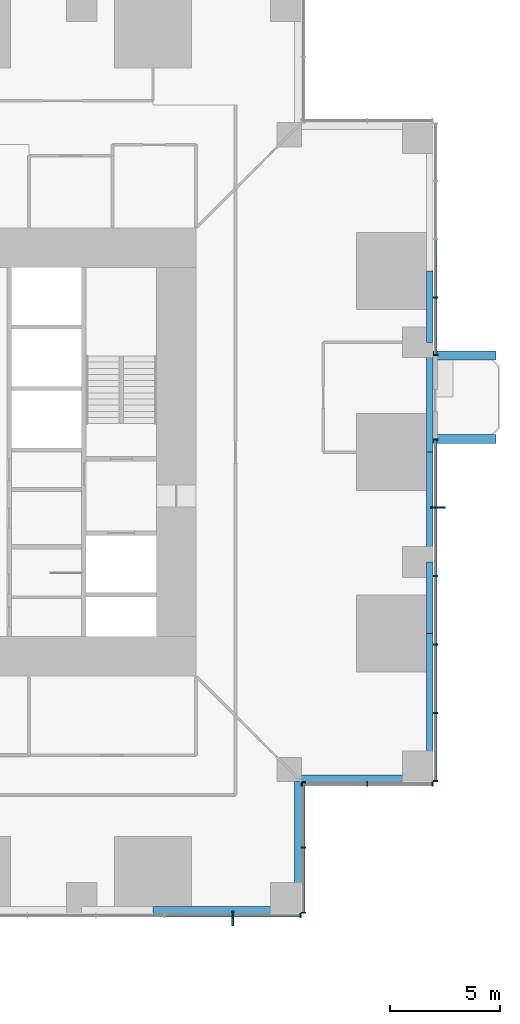
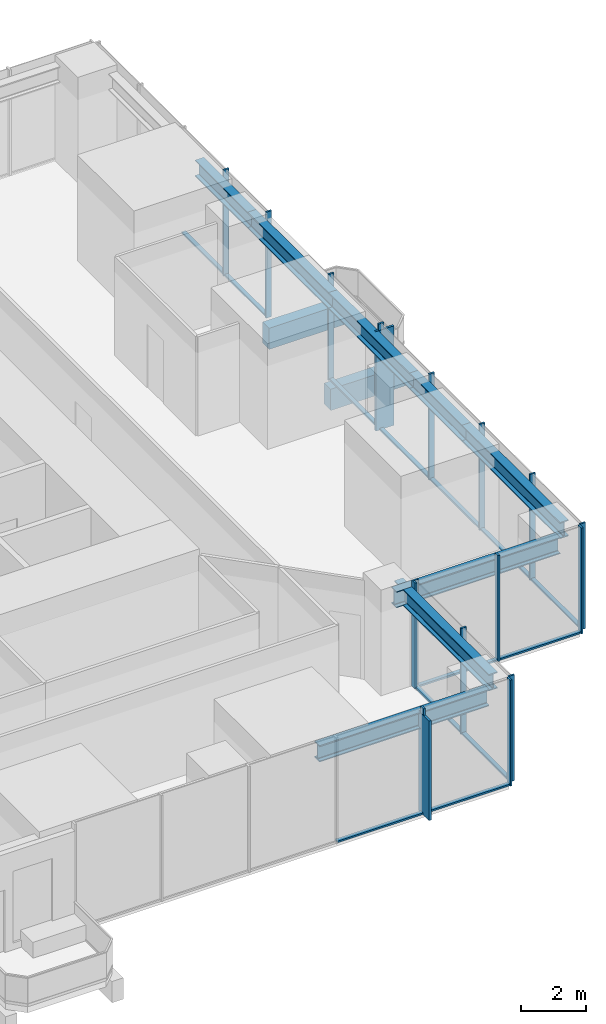
# One storey, part 4 of 17: 31 members, 10 beams, 5 elements without a shape of their own.
"""IFC4 building model written with IfcOpenShell, lengths in metres."""

from ifc_helpers import new_model, si_unit, direction, frame, origin, origin_2d, place, context, subcontext, project, spatial, rectangle, i_section, extrude, material, material_profile, profile_set, type_object, element, aggregate, save


model = new_model("IFC4")

# Units and contexts
model_context = context("Model", 3, precision=1e-05, world=origin(), true_north=direction((0.0, 1.0)))
body_context = subcontext(model_context, "Body", "Model", "MODEL_VIEW")
ifc_project = project(units=[si_unit("LENGTHUNIT", "METRE"), si_unit("AREAUNIT", "SQUARE_METRE"), si_unit("VOLUMEUNIT", "CUBIC_METRE"), si_unit("PLANEANGLEUNIT", "RADIAN"), si_unit("MASSUNIT", "GRAM", prefix="KILO")], contexts=[model_context])

# Site, building, storey
site_placement = place(None, origin())
site = spatial("IfcSite", under=ifc_project, at=site_placement, CompositionType="ELEMENT")
building_placement = place(site_placement, origin())
building = spatial("IfcBuilding", under=site, at=building_placement, Name="Svetlomir Tower", CompositionType="ELEMENT")
storey_placement = place(building_placement, frame((0.0, 0.0, 38.5)))
storey = spatial("IfcBuildingStorey", under=building, at=storey_placement, Name="L08", CompositionType="ELEMENT", Elevation=38.5)

# Beams
ifc_material_1 = material(Name="Concrete C60/75", Category="concrete")
ifc_material_profile_1 = material_profile(ifc_material_1, rectangle(XDim=0.39990234375, YDim=0.800048828125, at=origin_2d()), Name="RC 400x800")
ifc_profile_set_1 = profile_set([ifc_material_profile_1], Name="Concrete C60/75")
beam_type_1 = type_object("IfcBeamType", Name="BALCONY RIB RC 400x800", PredefinedType="BEAM", material=ifc_profile_set_1)
for number, where, z_axis, x_axis, name in (
    (1, (42.0, 21.60009765625, -0.64990234375), (1.0, 0.0, 0.0), (0.0, 1.0, 0.0), "Balcony rib E 1 L08"),
    (2, (42.0, 25.39990234375, -0.64990234375), (1.0, 0.0, 0.0), (0.0, 1.0, 0.0), "Balcony rib E 2 L08"),
):
    element("IfcBeam", number, at=place(storey_placement, frame(where, z_axis=z_axis, x_axis=x_axis)), inside=storey, type_object=beam_type_1, Name=name, PredefinedType="BEAM", context=body_context, shape_type="SweptSolid", body=[
        extrude(rectangle(XDim=0.39990234375, YDim=0.800048828125, at=origin_2d()), origin(), (0.0, 0.0, 1.0), 2.85009765625),
    ])

# Curtain wall, member
ifc_material_2 = material(Name="Bronze anodised aluminium curtain wall", Category="aluminium")
curtain_wall_type = type_object("IfcCurtainWallType", Name="CURTAIN WALL CW1 TOWER OFFICE", PredefinedType="NOTDEFINED", material=ifc_material_2)
curtain_wall_1_placement = place(storey_placement, origin())
curtain_wall_1 = element("IfcCurtainWall", 3, at=curtain_wall_1_placement, inside=storey, type_object=curtain_wall_type, Name="Curtain wall CW1 L08", PredefinedType="NOTDEFINED")
ifc_material_3 = material(Name="Bronze anodised aluminium", Category="aluminium")
ifc_material_profile_2 = material_profile(ifc_material_3, rectangle(XDim=0.080078125, YDim=0.64990234375, at=origin_2d()), Name="FIN 80x650")
ifc_profile_set_2 = profile_set([ifc_material_profile_2], Name="Bronze anodised aluminium 6063-T6")
member_type_1 = type_object("IfcMemberType", Name="BRONZE FIN 80x650", PredefinedType="USERDEFINED", material=ifc_profile_set_2)
member_1_placement = place(storey_placement, frame((32.8798828125, -0.22509765625, 0.0), z_axis=(0.0, 0.0, 1.0), x_axis=(1.0, 0.0, 0.0)))
member_1 = element("IfcMember", 4, at=member_1_placement, type_object=member_type_1, Name="Bronze fin L08", ObjectType="FIN", PredefinedType="USERDEFINED", context=body_context, shape_type="SweptSolid", body=[
    extrude(rectangle(XDim=0.080078125, YDim=0.64990234375, at=origin_2d()), origin(), (0.0, 0.0, 1.0), 3.75),
])

curtain_wall_2_placement = place(storey_placement, origin())
curtain_wall_2 = element("IfcCurtainWall", 5, at=curtain_wall_2_placement, inside=storey, type_object=curtain_wall_type, Name="Curtain wall CW1 L08", PredefinedType="NOTDEFINED")
member_2_placement = place(storey_placement, frame((42.22509765625, 18.47998046875, 0.0), z_axis=(0.0, 0.0, 1.0), x_axis=(0.0, 1.0, 0.0)))
member_2 = element("IfcMember", 6, at=member_2_placement, type_object=member_type_1, Name="Bronze fin L08", ObjectType="FIN", PredefinedType="USERDEFINED", context=body_context, shape_type="SweptSolid", body=[
    extrude(rectangle(XDim=0.080078125, YDim=0.64990234375, at=origin_2d()), origin(), (0.0, 0.0, 1.0), 3.75),
])

# Member
ifc_material_4 = material(Name="Bronze anodised aluminium", Category="aluminium")
ifc_material_profile_3 = material_profile(ifc_material_4, rectangle(XDim=0.06494140625, YDim=0.199951171875, at=origin_2d()), Name="AL 65x200")
ifc_profile_set_3 = profile_set([ifc_material_profile_3], Name="Bronze anodised aluminium 6063-T6")
member_type_2 = type_object("IfcMemberType", Name="CW1 MULLION 65x200", PredefinedType="MULLION", material=ifc_profile_set_3)
member_3_placement = place(storey_placement, frame((32.8798828125, -0.10009765625, 0.0), z_axis=(0.0, 0.0, 1.0), x_axis=(1.0, 0.0, 0.0)))
member_3 = element("IfcMember", 7, at=member_3_placement, type_object=member_type_2, Name="CW1 mullion 5", PredefinedType="MULLION", context=body_context, shape_type="SweptSolid", body=[
    extrude(rectangle(XDim=0.06494140625, YDim=0.199951171875, at=origin_2d()), origin(), (0.0, 0.0, 1.0), 4.0),
])

member_4_placement = place(storey_placement, frame((35.967529296875, -0.10009765625, 0.0), z_axis=(0.0, 0.0, 1.0), x_axis=(1.0, 0.0, 0.0)))
member_4 = element("IfcMember", 8, at=member_4_placement, type_object=member_type_2, Name="CW1 mullion 6", PredefinedType="MULLION", context=body_context, shape_type="SweptSolid", body=[
    extrude(rectangle(XDim=0.06494140625, YDim=0.199951171875, at=origin_2d()), origin(), (0.0, 0.0, 1.0), 4.0),
])

# Curtain wall, members
curtain_wall_3_placement = place(storey_placement, origin())
curtain_wall_3 = element("IfcCurtainWall", 9, at=curtain_wall_3_placement, inside=storey, type_object=curtain_wall_type, Name="Curtain wall CW1 L08", PredefinedType="NOTDEFINED")
member_5_placement = place(storey_placement, frame((36.10009765625, 0.032470703125, 0.0), z_axis=(0.0, 0.0, 1.0), x_axis=(0.0, 1.0, 0.0)))
member_5 = element("IfcMember", 10, at=member_5_placement, type_object=member_type_2, Name="CW1 mullion 1", PredefinedType="MULLION", context=body_context, shape_type="SweptSolid", body=[
    extrude(rectangle(XDim=0.06494140625, YDim=0.199951171875, at=origin_2d()), origin(), (0.0, 0.0, 1.0), 4.0),
])
member_6_placement = place(storey_placement, frame((36.10009765625, 3.0, 0.0), z_axis=(0.0, 0.0, 1.0), x_axis=(0.0, 1.0, 0.0)))
member_6 = element("IfcMember", 11, at=member_6_placement, type_object=member_type_2, Name="CW1 mullion 2", PredefinedType="MULLION", context=body_context, shape_type="SweptSolid", body=[
    extrude(rectangle(XDim=0.06494140625, YDim=0.199951171875, at=origin_2d()), origin(), (0.0, 0.0, 1.0), 4.0),
])
member_7_placement = place(storey_placement, frame((36.10009765625, 5.967529296875, 0.0), z_axis=(0.0, 0.0, 1.0), x_axis=(0.0, 1.0, 0.0)))
member_7 = element("IfcMember", 12, at=member_7_placement, type_object=member_type_2, Name="CW1 mullion 3", PredefinedType="MULLION", context=body_context, shape_type="SweptSolid", body=[
    extrude(rectangle(XDim=0.06494140625, YDim=0.199951171875, at=origin_2d()), origin(), (0.0, 0.0, 1.0), 4.0),
])

curtain_wall_4_placement = place(storey_placement, origin())
curtain_wall_4 = element("IfcCurtainWall", 13, at=curtain_wall_4_placement, inside=storey, type_object=curtain_wall_type, Name="Curtain wall CW1 L08", PredefinedType="NOTDEFINED")
member_8_placement = place(storey_placement, frame((36.032470703125, 5.89990234375, 0.0), z_axis=(0.0, 0.0, 1.0), x_axis=(1.0, 0.0, 0.0)))
member_8 = element("IfcMember", 14, at=member_8_placement, type_object=member_type_2, Name="CW1 mullion 1", PredefinedType="MULLION", context=body_context, shape_type="SweptSolid", body=[
    extrude(rectangle(XDim=0.06494140625, YDim=0.199951171875, at=origin_2d()), origin(), (0.0, 0.0, 1.0), 4.0),
])
member_9_placement = place(storey_placement, frame((39.0, 5.89990234375, 0.0), z_axis=(0.0, 0.0, 1.0), x_axis=(1.0, 0.0, 0.0)))
member_9 = element("IfcMember", 15, at=member_9_placement, type_object=member_type_2, Name="CW1 mullion 2", PredefinedType="MULLION", context=body_context, shape_type="SweptSolid", body=[
    extrude(rectangle(XDim=0.06494140625, YDim=0.199951171875, at=origin_2d()), origin(), (0.0, 0.0, 1.0), 4.0),
])
member_10_placement = place(storey_placement, frame((41.967529296875, 5.89990234375, 0.0), z_axis=(0.0, 0.0, 1.0), x_axis=(1.0, 0.0, 0.0)))
member_10 = element("IfcMember", 16, at=member_10_placement, type_object=member_type_2, Name="CW1 mullion 3", PredefinedType="MULLION", context=body_context, shape_type="SweptSolid", body=[
    extrude(rectangle(XDim=0.06494140625, YDim=0.199951171875, at=origin_2d()), origin(), (0.0, 0.0, 1.0), 4.0),
])

# Member
member_11_placement = place(storey_placement, frame((42.10009765625, 6.032470703125, 0.0), z_axis=(0.0, 0.0, 1.0), x_axis=(0.0, 1.0, 0.0)))
member_11 = element("IfcMember", 17, at=member_11_placement, type_object=member_type_2, Name="CW1 mullion 1", PredefinedType="MULLION", context=body_context, shape_type="SweptSolid", body=[
    extrude(rectangle(XDim=0.06494140625, YDim=0.199951171875, at=origin_2d()), origin(), (0.0, 0.0, 1.0), 4.0),
])

member_12_placement = place(storey_placement, frame((42.10009765625, 9.1201171875, 0.0), z_axis=(0.0, 0.0, 1.0), x_axis=(0.0, 1.0, 0.0)))
member_12 = element("IfcMember", 18, at=member_12_placement, type_object=member_type_2, Name="CW1 mullion 2", PredefinedType="MULLION", context=body_context, shape_type="SweptSolid", body=[
    extrude(rectangle(XDim=0.06494140625, YDim=0.199951171875, at=origin_2d()), origin(), (0.0, 0.0, 1.0), 4.0),
])

member_13_placement = place(storey_placement, frame((42.10009765625, 12.239990234375, 0.0), z_axis=(0.0, 0.0, 1.0), x_axis=(0.0, 1.0, 0.0)))
member_13 = element("IfcMember", 19, at=member_13_placement, type_object=member_type_2, Name="CW1 mullion 3", PredefinedType="MULLION", context=body_context, shape_type="SweptSolid", body=[
    extrude(rectangle(XDim=0.06494140625, YDim=0.199951171875, at=origin_2d()), origin(), (0.0, 0.0, 1.0), 4.0),
])

member_14_placement = place(storey_placement, frame((42.10009765625, 15.360107421875, 0.0), z_axis=(0.0, 0.0, 1.0), x_axis=(0.0, 1.0, 0.0)))
member_14 = element("IfcMember", 20, at=member_14_placement, type_object=member_type_2, Name="CW1 mullion 4", PredefinedType="MULLION", context=body_context, shape_type="SweptSolid", body=[
    extrude(rectangle(XDim=0.06494140625, YDim=0.199951171875, at=origin_2d()), origin(), (0.0, 0.0, 1.0), 4.0),
])

member_15_placement = place(storey_placement, frame((42.10009765625, 18.47998046875, 0.0), z_axis=(0.0, 0.0, 1.0), x_axis=(0.0, 1.0, 0.0)))
member_15 = element("IfcMember", 21, at=member_15_placement, type_object=member_type_2, Name="CW1 mullion 5", PredefinedType="MULLION", context=body_context, shape_type="SweptSolid", body=[
    extrude(rectangle(XDim=0.06494140625, YDim=0.199951171875, at=origin_2d()), origin(), (0.0, 0.0, 1.0), 4.0),
])

member_16_placement = place(storey_placement, frame((42.10009765625, 21.5673828125, 0.0), z_axis=(0.0, 0.0, 1.0), x_axis=(0.0, 1.0, 0.0)))
member_16 = element("IfcMember", 22, at=member_16_placement, type_object=member_type_2, Name="CW1 mullion 6", PredefinedType="MULLION", context=body_context, shape_type="SweptSolid", body=[
    extrude(rectangle(XDim=0.06494140625, YDim=0.199951171875, at=origin_2d()), origin(), (0.0, 0.0, 1.0), 4.0),
])

# Curtain wall, members
curtain_wall_5_placement = place(storey_placement, origin())
curtain_wall_5 = element("IfcCurtainWall", 23, at=curtain_wall_5_placement, inside=storey, type_object=curtain_wall_type, Name="Curtain wall CW1 L08", PredefinedType="NOTDEFINED")
member_17_placement = place(storey_placement, frame((42.10009765625, 25.4326171875, 0.0), z_axis=(0.0, 0.0, 1.0), x_axis=(0.0, 1.0, 0.0)))
member_17 = element("IfcMember", 24, at=member_17_placement, type_object=member_type_2, Name="CW1 mullion 1", PredefinedType="MULLION", context=body_context, shape_type="SweptSolid", body=[
    extrude(rectangle(XDim=0.06494140625, YDim=0.199951171875, at=origin_2d()), origin(), (0.0, 0.0, 1.0), 4.0),
])
member_18_placement = place(storey_placement, frame((42.10009765625, 28.050048828125, 0.0), z_axis=(0.0, 0.0, 1.0), x_axis=(0.0, 1.0, 0.0)))
member_18 = element("IfcMember", 25, at=member_18_placement, type_object=member_type_2, Name="CW1 mullion 2", PredefinedType="MULLION", context=body_context, shape_type="SweptSolid", body=[
    extrude(rectangle(XDim=0.06494140625, YDim=0.199951171875, at=origin_2d()), origin(), (0.0, 0.0, 1.0), 4.0),
])

# Member
ifc_material_5 = material(Name="Bronze anodised aluminium", Category="aluminium")
ifc_material_profile_4 = material_profile(ifc_material_5, rectangle(XDim=0.139892578125, YDim=0.06494140625, at=origin_2d()), Name="AL 140x65")
ifc_profile_set_4 = profile_set([ifc_material_profile_4], Name="Bronze anodised aluminium 6063-T6")
member_type_3 = type_object("IfcMemberType", Name="CW1 TRANSOM 65x140", PredefinedType="USERDEFINED", material=ifc_profile_set_4)
member_19_placement = place(storey_placement, frame((29.79248046875, -0.10009765625, 0.032470703125), z_axis=(1.0, 0.0, 0.0), x_axis=(0.0, 1.0, 0.0)))
member_19 = element("IfcMember", 26, at=member_19_placement, type_object=member_type_3, Name="CW1 transom 4.1", ObjectType="TRANSOM", PredefinedType="USERDEFINED", context=body_context, shape_type="SweptSolid", body=[
    extrude(rectangle(XDim=0.139892578125, YDim=0.06494140625, at=origin_2d()), origin(), (0.0, 0.0, 1.0), 3.054931640625),
])

member_20_placement = place(storey_placement, frame((32.91259765625, -0.10009765625, 0.032470703125), z_axis=(1.0, 0.0, 0.0), x_axis=(0.0, 1.0, 0.0)))
member_20 = element("IfcMember", 27, at=member_20_placement, type_object=member_type_3, Name="CW1 transom 5.1", ObjectType="TRANSOM", PredefinedType="USERDEFINED", context=body_context, shape_type="SweptSolid", body=[
    extrude(rectangle(XDim=0.139892578125, YDim=0.06494140625, at=origin_2d()), origin(), (0.0, 0.0, 1.0), 3.0224609375),
])

aggregate(curtain_wall_1, [member_3, member_4, member_19, member_20, member_1])

member_21_placement = place(storey_placement, frame((36.10009765625, 0.06494140625, 0.032470703125), z_axis=(0.0, 1.0, 0.0), x_axis=(-1.0, 0.0, 0.0)))
member_21 = element("IfcMember", 28, at=member_21_placement, type_object=member_type_3, Name="CW1 transom 1.1", ObjectType="TRANSOM", PredefinedType="USERDEFINED", context=body_context, shape_type="SweptSolid", body=[
    extrude(rectangle(XDim=0.139892578125, YDim=0.06494140625, at=origin_2d()), origin(), (0.0, 0.0, 1.0), 2.902587890625),
])

member_22_placement = place(storey_placement, frame((36.10009765625, 3.032470703125, 0.032470703125), z_axis=(0.0, 1.0, 0.0), x_axis=(-1.0, 0.0, 0.0)))
member_22 = element("IfcMember", 29, at=member_22_placement, type_object=member_type_3, Name="CW1 transom 2.1", ObjectType="TRANSOM", PredefinedType="USERDEFINED", context=body_context, shape_type="SweptSolid", body=[
    extrude(rectangle(XDim=0.139892578125, YDim=0.06494140625, at=origin_2d()), origin(), (0.0, 0.0, 1.0), 2.902587890625),
])

aggregate(curtain_wall_3, [member_5, member_6, member_7, member_21, member_22])

member_23_placement = place(storey_placement, frame((36.06494140625, 5.89990234375, 0.032470703125), z_axis=(1.0, 0.0, 0.0), x_axis=(0.0, 1.0, 0.0)))
member_23 = element("IfcMember", 30, at=member_23_placement, type_object=member_type_3, Name="CW1 transom 1.1", ObjectType="TRANSOM", PredefinedType="USERDEFINED", context=body_context, shape_type="SweptSolid", body=[
    extrude(rectangle(XDim=0.139892578125, YDim=0.06494140625, at=origin_2d()), origin(), (0.0, 0.0, 1.0), 2.902587890625),
])

member_24_placement = place(storey_placement, frame((39.032470703125, 5.89990234375, 0.032470703125), z_axis=(1.0, 0.0, 0.0), x_axis=(0.0, 1.0, 0.0)))
member_24 = element("IfcMember", 31, at=member_24_placement, type_object=member_type_3, Name="CW1 transom 2.1", ObjectType="TRANSOM", PredefinedType="USERDEFINED", context=body_context, shape_type="SweptSolid", body=[
    extrude(rectangle(XDim=0.139892578125, YDim=0.06494140625, at=origin_2d()), origin(), (0.0, 0.0, 1.0), 2.902587890625),
])

aggregate(curtain_wall_4, [member_8, member_9, member_10, member_23, member_24])

member_25_placement = place(storey_placement, frame((42.10009765625, 6.06494140625, 0.032470703125), z_axis=(0.0, 1.0, 0.0), x_axis=(-1.0, 0.0, 0.0)))
member_25 = element("IfcMember", 32, at=member_25_placement, type_object=member_type_3, Name="CW1 transom 1.1", ObjectType="TRANSOM", PredefinedType="USERDEFINED", context=body_context, shape_type="SweptSolid", body=[
    extrude(rectangle(XDim=0.139892578125, YDim=0.06494140625, at=origin_2d()), origin(), (0.0, 0.0, 1.0), 3.0224609375),
])

member_26_placement = place(storey_placement, frame((42.10009765625, 9.152587890625, 0.032470703125), z_axis=(0.0, 1.0, 0.0), x_axis=(-1.0, 0.0, 0.0)))
member_26 = element("IfcMember", 33, at=member_26_placement, type_object=member_type_3, Name="CW1 transom 2.1", ObjectType="TRANSOM", PredefinedType="USERDEFINED", context=body_context, shape_type="SweptSolid", body=[
    extrude(rectangle(XDim=0.139892578125, YDim=0.06494140625, at=origin_2d()), origin(), (0.0, 0.0, 1.0), 3.054931640625),
])

member_27_placement = place(storey_placement, frame((42.10009765625, 12.2724609375, 0.032470703125), z_axis=(0.0, 1.0, 0.0), x_axis=(-1.0, 0.0, 0.0)))
member_27 = element("IfcMember", 34, at=member_27_placement, type_object=member_type_3, Name="CW1 transom 3.1", ObjectType="TRANSOM", PredefinedType="USERDEFINED", context=body_context, shape_type="SweptSolid", body=[
    extrude(rectangle(XDim=0.139892578125, YDim=0.06494140625, at=origin_2d()), origin(), (0.0, 0.0, 1.0), 3.054931640625),
])

member_28_placement = place(storey_placement, frame((42.10009765625, 15.392578125, 0.032470703125), z_axis=(0.0, 1.0, 0.0), x_axis=(-1.0, 0.0, 0.0)))
member_28 = element("IfcMember", 35, at=member_28_placement, type_object=member_type_3, Name="CW1 transom 4.1", ObjectType="TRANSOM", PredefinedType="USERDEFINED", context=body_context, shape_type="SweptSolid", body=[
    extrude(rectangle(XDim=0.139892578125, YDim=0.06494140625, at=origin_2d()), origin(), (0.0, 0.0, 1.0), 3.054931640625),
])

member_29_placement = place(storey_placement, frame((42.10009765625, 18.512451171875, 0.032470703125), z_axis=(0.0, 1.0, 0.0), x_axis=(-1.0, 0.0, 0.0)))
member_29 = element("IfcMember", 36, at=member_29_placement, type_object=member_type_3, Name="CW1 transom 5.1", ObjectType="TRANSOM", PredefinedType="USERDEFINED", context=body_context, shape_type="SweptSolid", body=[
    extrude(rectangle(XDim=0.139892578125, YDim=0.06494140625, at=origin_2d()), origin(), (0.0, 0.0, 1.0), 3.0224609375),
])

aggregate(curtain_wall_2, [member_11, member_12, member_13, member_14, member_15, member_16, member_25, member_26, member_27, member_28, member_29, member_2])

member_30_placement = place(storey_placement, frame((42.10009765625, 25.465087890625, 0.032470703125), z_axis=(0.0, 1.0, 0.0), x_axis=(-1.0, 0.0, 0.0)))
member_30 = element("IfcMember", 37, at=member_30_placement, type_object=member_type_3, Name="CW1 transom 1.1", ObjectType="TRANSOM", PredefinedType="USERDEFINED", context=body_context, shape_type="SweptSolid", body=[
    extrude(rectangle(XDim=0.139892578125, YDim=0.06494140625, at=origin_2d()), origin(), (0.0, 0.0, 1.0), 2.552490234375),
])

member_31_placement = place(storey_placement, frame((42.10009765625, 28.08251953125, 0.032470703125), z_axis=(0.0, 1.0, 0.0), x_axis=(-1.0, 0.0, 0.0)))
member_31 = element("IfcMember", 38, at=member_31_placement, type_object=member_type_3, Name="CW1 transom 2.1", ObjectType="TRANSOM", PredefinedType="USERDEFINED", context=body_context, shape_type="SweptSolid", body=[
    extrude(rectangle(XDim=0.139892578125, YDim=0.06494140625, at=origin_2d()), origin(), (0.0, 0.0, 1.0), 2.5849609375),
])

aggregate(curtain_wall_5, [member_17, member_18, member_30, member_31])

# Beams
ifc_material_6 = material(Name="Steel S355", Category="steel")
ifc_material_profile_5 = material_profile(ifc_material_6, i_section(OverallWidth=0.304931640625, OverallDepth=0.6201171875, WebThickness=0.02099609375, FlangeThickness=0.0400390625, FilletRadius=0.027099609375, at=origin_2d()), Name="HEM 600")
ifc_profile_set_5 = profile_set([ifc_material_profile_5], Name="Steel S355")
beam_type_2 = type_object("IfcBeamType", Name="EDGE BEAM HEM 600", PredefinedType="SPANDREL", material=ifc_profile_set_5)
beam_1_placement = place(storey_placement, frame((41.847412109375, 6.699951171875, 3.43994140625), z_axis=(0.0, 1.0, 0.0), x_axis=(-1.0, 0.0, 0.0)))
element("IfcBeam", 39, at=beam_1_placement, inside=storey, type_object=beam_type_2, Name="Edge beam 42/6 to 42/11 under L09", PredefinedType="SPANDREL", context=body_context, shape_type="SweptSolid", body=[
    extrude(i_section(OverallWidth=0.304931640625, OverallDepth=0.6201171875, WebThickness=0.02099609375, FlangeThickness=0.0400390625, FilletRadius=0.027099609375, at=origin_2d()), origin(), (0.0, 0.0, 1.0), 6.050048828125),
])
beam_2_placement = place(storey_placement, frame((41.847412109375, 12.75, 3.43994140625), z_axis=(0.0, 1.0, 0.0), x_axis=(-1.0, 0.0, 0.0)))
element("IfcBeam", 40, at=beam_2_placement, inside=storey, type_object=beam_type_2, Name="Edge beam 42/11 to 42/16 under L09", PredefinedType="SPANDREL", context=body_context, shape_type="SweptSolid", body=[
    extrude(i_section(OverallWidth=0.304931640625, OverallDepth=0.6201171875, WebThickness=0.02099609375, FlangeThickness=0.0400390625, FilletRadius=0.027099609375, at=origin_2d()), origin(), (0.0, 0.0, 1.0), 3.25),
])
for number, where, z_axis, x_axis, name in (
    (41, (41.847412109375, 16.0, 3.43994140625), (0.0, 1.0, 0.0), (-1.0, 0.0, 0.0), "Edge beam 42/16 to 42/21 under L09"),
    (42, (41.847412109375, 21.0, 3.43994140625), (0.0, 1.0, 0.0), (-1.0, 0.0, 0.0), "Edge beam 42/21 to 42/26 under L09"),
):
    element("IfcBeam", number, at=place(storey_placement, frame(where, z_axis=z_axis, x_axis=x_axis)), inside=storey, type_object=beam_type_2, Name=name, PredefinedType="SPANDREL", context=body_context, shape_type="SweptSolid", body=[
        extrude(i_section(OverallWidth=0.304931640625, OverallDepth=0.6201171875, WebThickness=0.02099609375, FlangeThickness=0.0400390625, FilletRadius=0.027099609375, at=origin_2d()), origin(), (0.0, 0.0, 1.0), 5.0),
    ])
beam_3_placement = place(storey_placement, frame((41.847412109375, 26.0, 3.43994140625), z_axis=(0.0, 1.0, 0.0), x_axis=(-1.0, 0.0, 0.0)))
element("IfcBeam", 43, at=beam_3_placement, inside=storey, type_object=beam_type_2, Name="Edge beam 42/26 to 42/31 under L09", PredefinedType="SPANDREL", context=body_context, shape_type="SweptSolid", body=[
    extrude(i_section(OverallWidth=0.304931640625, OverallDepth=0.6201171875, WebThickness=0.02099609375, FlangeThickness=0.0400390625, FilletRadius=0.027099609375, at=origin_2d()), origin(), (0.0, 0.0, 1.0), 3.25),
])
beam_4_placement = place(storey_placement, frame((29.25, 0.152587890625, 3.43994140625), z_axis=(1.0, 0.0, 0.0), x_axis=(0.0, 1.0, 0.0)))
element("IfcBeam", 44, at=beam_4_placement, inside=storey, type_object=beam_type_2, Name="Edge beam 31/0 to 36/0 under L09", PredefinedType="SPANDREL", context=body_context, shape_type="SweptSolid", body=[
    extrude(i_section(OverallWidth=0.304931640625, OverallDepth=0.6201171875, WebThickness=0.02099609375, FlangeThickness=0.0400390625, FilletRadius=0.027099609375, at=origin_2d()), origin(), (0.0, 0.0, 1.0), 6.050048828125),
])
for number, where, z_axis, x_axis, name in (
    (45, (35.847412109375, 0.699951171875, 3.43994140625), (0.0, 1.0, 0.0), (-1.0, 0.0, 0.0), "Edge beam 36/0 to 36/6 under L09"),
    (46, (41.300048828125, 6.152587890625, 3.43994140625), (-1.0, 0.0, 0.0), (0.0, -1.0, 0.0), "Edge beam 42/6 to 36/6 under L09"),
):
    element("IfcBeam", number, at=place(storey_placement, frame(where, z_axis=z_axis, x_axis=x_axis)), inside=storey, type_object=beam_type_2, Name=name, PredefinedType="SPANDREL", context=body_context, shape_type="SweptSolid", body=[
        extrude(i_section(OverallWidth=0.304931640625, OverallDepth=0.6201171875, WebThickness=0.02099609375, FlangeThickness=0.0400390625, FilletRadius=0.027099609375, at=origin_2d()), origin(), (0.0, 0.0, 1.0), 5.85009765625),
    ])

save(model, "model.ifc")
